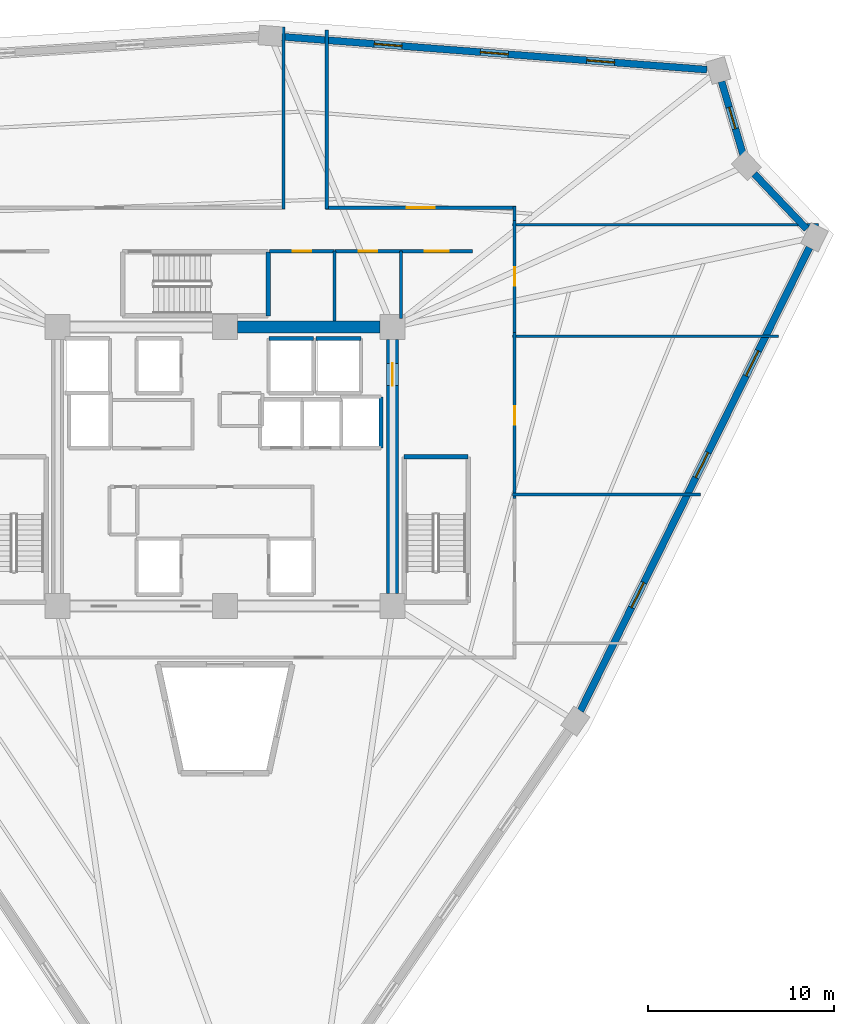
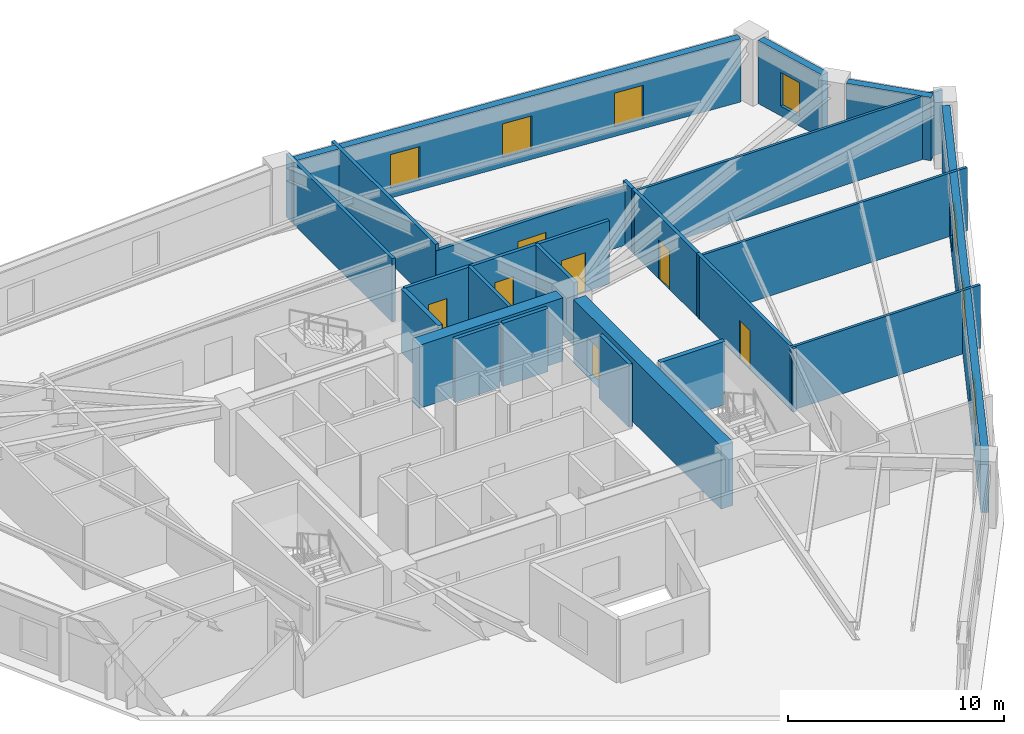
# One storey, part 6 of 8: 25 walls, 7 doors, 7 windows, 14 openings.
"""IFC4 building model written with IfcOpenShell, lengths in metres."""

from ifc_helpers import new_model, si_unit, direction, frame, frame_2d, origin, place, context, subcontext, project, spatial, rectangle, extrude, source, transform, mapped, material, layer, layer_set, type_object, element, fill, save


model = new_model("IFC4")

# Units and contexts
model_context = context("Model", 3, precision=1e-05, world=origin(), true_north=direction((0.0, 1.0)))
body_context = subcontext(model_context, "Body", "Model", "MODEL_VIEW")
ifc_project = project(units=[si_unit("LENGTHUNIT", "METRE"), si_unit("AREAUNIT", "SQUARE_METRE"), si_unit("VOLUMEUNIT", "CUBIC_METRE"), si_unit("PLANEANGLEUNIT", "RADIAN"), si_unit("MASSUNIT", "GRAM", prefix="KILO")], contexts=[model_context])

# Site, building, storey
site_placement = place(None, origin())
site = spatial("IfcSite", under=ifc_project, at=site_placement, CompositionType="ELEMENT")
building_placement = place(site_placement, origin())
building = spatial("IfcBuilding", under=site, at=building_placement, Name="Liaohun Quay Tower", CompositionType="ELEMENT")
storey_placement = place(building_placement, frame((0.0, 0.0, 262.5)))
storey = spatial("IfcBuildingStorey", under=building, at=storey_placement, Name="L68", CompositionType="ELEMENT", Elevation=262.5)

# Wall
ifc_material_1 = material(Name="Concrete C55", Category="concrete")
ifc_layer_1 = layer(ifc_material_1, 0.64990234375, Name="Concrete C55", Category="concrete")
ifc_layer_set_1 = layer_set([ifc_layer_1], Name="Concrete C55")
wall_type_1 = type_object("IfcWallType", Name="WAL-COR-Z3", PredefinedType="SHEAR", material=ifc_layer_set_1)
wall_1_placement = place(storey_placement, frame((60.675048828125, 61.5, 0.0), z_axis=(0.0, 0.0, 1.0), x_axis=(1.0, 0.0, 0.0)))
element("IfcWall", 1, at=wall_1_placement, inside=storey, type_object=wall_type_1, Name="L68 Central Core Shear Wall N-E", PredefinedType="SHEAR", context=body_context, shape_type="SweptSolid", body=[
    extrude(rectangle(XDim=7.64990234375, YDim=0.64990234375, at=frame_2d((3.824951171875, 0.0))), origin(), (0.0, 0.0, 1.0), 3.570068359375),
])

# Wall, opening, door
wall_2_placement = place(storey_placement, frame((69.0, 60.824951171875, 0.0), z_axis=(0.0, 0.0, 1.0), x_axis=(0.0, -1.0, 0.0)))
wall_2 = element("IfcWall", 2, at=wall_2_placement, inside=storey, type_object=wall_type_1, Name="L68 Central Core Shear Wall E", PredefinedType="SHEAR", context=body_context, shape_type="SweptSolid", body=[
    extrude(rectangle(XDim=13.64990234375, YDim=0.64990234375, at=frame_2d((6.824951171875, 0.0))), origin(), (0.0, 0.0, 1.0), 3.570068359375),
])
shared_shape_1 = source(origin(), body_context, "Body", "SweptSolid", [
    extrude(rectangle(XDim=1.199951171875, YDim=2.199951171875, at=frame_2d((0.60009765625, 1.10009765625))), frame((0.0, 0.3349609375, 0.0), z_axis=(0.0, -1.0, 0.0), x_axis=(1.0, 0.0, 0.0)), (0.0, 0.0, 1.0), 0.669921875),
])
opening_1_placement = place(wall_2_placement, frame((1.27490234375, 0.0, 0.0)))
opening_1 = element("IfcOpeningElement", 3, at=opening_1_placement, cuts=wall_2, Name="Opening SD1", PredefinedType="OPENING", context=body_context, shape_type="MappedRepresentation", body=[
    mapped(shared_shape_1, transform((0.0, 0.0, 0.0), x_axis=(1.0, 0.0, 0.0), y_axis=(0.0, 1.0, 0.0), z_axis=(0.0, 0.0, 1.0), scale=1.0)),
])
ifc_material_2 = material(Name="Galvanised steel fire door", Category="steel")
door_type_1 = type_object("IfcDoorType", Name="DOR-STR-1200", OperationType="NOTDEFINED", PredefinedType="DOOR", material=ifc_material_2)
shared_shape_2 = source(origin(), body_context, "Body", "SweptSolid", [
    extrude(rectangle(XDim=1.199951171875, YDim=2.199951171875, at=frame_2d((0.60009765625, 1.10009765625))), frame((0.0, 0.02490234375, 0.0), z_axis=(0.0, -1.0, 0.0), x_axis=(1.0, 0.0, 0.0)), (0.0, 0.0, 1.0), 0.050048828125),
])
door_1_placement = place(opening_1_placement, origin())
door_1 = element("IfcDoor", 4, at=door_1_placement, inside=storey, type_object=door_type_1, Name="L68 North-East Core Lobby Smokeproof Door", OperationType="SINGLE_SWING_LEFT", OverallHeight=2.199951171875, OverallWidth=1.199951171875, PredefinedType="DOOR", context=body_context, shape_type="MappedRepresentation", body=[
    mapped(shared_shape_2, transform((0.0, 0.0, 0.0), x_axis=(1.0, 0.0, 0.0), y_axis=(0.0, 1.0, 0.0), z_axis=(0.0, 0.0, 1.0), scale=1.0)),
])
fill(opening_1, door_1)

# Wall, openings, windows
ifc_material_3 = material(Name="Precast concrete C50 insulated sandwich", Category="concrete")
ifc_layer_2 = layer(ifc_material_3, 0.3798828125, Name="Precast concrete C50 insulated sandwich", Category="concrete")
ifc_layer_set_2 = layer_set([ifc_layer_2], Name="Precast concrete C50 insulated sandwich")
wall_type_2 = type_object("IfcWallType", Name="WAL-EXT-Z34", PredefinedType="SOLIDWALL", material=ifc_layer_set_2)
wall_3_placement = place(storey_placement, frame((79.10009765625, 40.864990234375, 0.0), z_axis=(0.0, 0.0, 1.0), x_axis=(0.44309993188, 0.896472225096, 0.0)))
wall_3 = element("IfcWall", 5, at=wall_3_placement, inside=storey, type_object=wall_type_2, Name="L68 Brutalist Precast Pier Wall 03", PredefinedType="SOLIDWALL", context=body_context, shape_type="SweptSolid", body=[
    extrude(rectangle(XDim=27.783447265625, YDim=0.3798828125, at=frame_2d((13.8916015625, 0.0))), origin(), (0.0, 0.0, 1.0), 3.570068359375),
])
shared_shape_3 = source(origin(), body_context, "Body", "SweptSolid", [
    extrude(rectangle(XDim=1.5, YDim=1.89990234375, at=frame_2d((0.75, 0.949951171875))), frame((0.0, 0.199951171875, 0.0), z_axis=(0.0, -1.0, 0.0), x_axis=(1.0, 0.0, 0.0)), (0.0, 0.0, 1.0), 0.39990234375),
])
opening_2_placement = place(wall_3_placement, frame((6.196044921875, 0.0, 0.550048828125)))
opening_2 = element("IfcOpeningElement", 6, at=opening_2_placement, cuts=wall_3, Name="Opening W03", PredefinedType="OPENING", context=body_context, shape_type="MappedRepresentation", body=[
    mapped(shared_shape_3, transform((0.0, 0.0, 0.0), x_axis=(1.0, 0.0, 0.0), y_axis=(0.0, 1.0, 0.0), z_axis=(0.0, 0.0, 1.0), scale=1.0)),
])
opening_3_placement = place(wall_3_placement, frame((13.991943359375, 0.0, 0.550048828125)))
opening_3 = element("IfcOpeningElement", 7, at=opening_3_placement, cuts=wall_3, Name="Opening W03", PredefinedType="OPENING", context=body_context, shape_type="MappedRepresentation", body=[
    mapped(shared_shape_3, transform((0.0, 0.0, 0.0), x_axis=(1.0, 0.0, 0.0), y_axis=(0.0, 1.0, 0.0), z_axis=(0.0, 0.0, 1.0), scale=1.0)),
])
opening_4_placement = place(wall_3_placement, frame((20.087890625, 0.0, 0.550048828125)))
opening_4 = element("IfcOpeningElement", 8, at=opening_4_placement, cuts=wall_3, Name="Opening W03", PredefinedType="OPENING", context=body_context, shape_type="MappedRepresentation", body=[
    mapped(shared_shape_3, transform((0.0, 0.0, 0.0), x_axis=(1.0, 0.0, 0.0), y_axis=(0.0, 1.0, 0.0), z_axis=(0.0, 0.0, 1.0), scale=1.0)),
])
ifc_material_4 = material(Name="Triple Low-E argon glazing in thermally broken aluminium", Category="aluminium")
window_type_1 = type_object("IfcWindowType", Name="WIN-PUN-Z3", PartitioningType="DOUBLE_PANEL_VERTICAL", PredefinedType="WINDOW", material=ifc_material_4)
shared_shape_4 = source(origin(), body_context, "Body", "SweptSolid", [
    extrude(rectangle(XDim=1.5, YDim=1.89990234375, at=frame_2d((0.75, 0.949951171875))), frame((0.0, 0.030029296875, 0.0), z_axis=(0.0, -1.0, 0.0), x_axis=(1.0, 0.0, 0.0)), (0.0, 0.0, 1.0), 0.06005859375),
])
window_1_placement = place(opening_2_placement, origin())
window_1 = element("IfcWindow", 9, at=window_1_placement, inside=storey, type_object=window_type_1, Name="L68 Recessed Cold-Climate Punched Window 03-1", OverallHeight=1.89990234375, OverallWidth=1.5, PartitioningType="DOUBLE_PANEL_VERTICAL", PredefinedType="WINDOW", context=body_context, shape_type="MappedRepresentation", body=[
    mapped(shared_shape_4, transform((0.0, 0.0, 0.0), x_axis=(1.0, 0.0, 0.0), y_axis=(0.0, 1.0, 0.0), z_axis=(0.0, 0.0, 1.0), scale=1.0)),
])
fill(opening_2, window_1)
window_2_placement = place(opening_3_placement, origin())
window_2 = element("IfcWindow", 10, at=window_2_placement, inside=storey, type_object=window_type_1, Name="L68 Recessed Cold-Climate Punched Window 03-2", OverallHeight=1.89990234375, OverallWidth=1.5, PartitioningType="DOUBLE_PANEL_VERTICAL", PredefinedType="WINDOW", context=body_context, shape_type="MappedRepresentation", body=[
    mapped(shared_shape_4, transform((0.0, 0.0, 0.0), x_axis=(1.0, 0.0, 0.0), y_axis=(0.0, 1.0, 0.0), z_axis=(0.0, 0.0, 1.0), scale=1.0)),
])
fill(opening_3, window_2)
window_3_placement = place(opening_4_placement, origin())
window_3 = element("IfcWindow", 11, at=window_3_placement, inside=storey, type_object=window_type_1, Name="L68 Recessed Cold-Climate Punched Window 03-3", OverallHeight=1.89990234375, OverallWidth=1.5, PartitioningType="DOUBLE_PANEL_VERTICAL", PredefinedType="WINDOW", context=body_context, shape_type="MappedRepresentation", body=[
    mapped(shared_shape_4, transform((0.0, 0.0, 0.0), x_axis=(1.0, 0.0, 0.0), y_axis=(0.0, 1.0, 0.0), z_axis=(0.0, 0.0, 1.0), scale=1.0)),
])
fill(opening_4, window_3)

# Wall
wall_4_placement = place(storey_placement, frame((91.259033203125, 66.76904296875, 0.0), z_axis=(0.0, 0.0, 1.0), x_axis=(-0.689420989275, 0.724360890404, 0.0)))
element("IfcWall", 12, at=wall_4_placement, inside=storey, type_object=wall_type_2, Name="L68 Brutalist Precast Pier Wall 04", PredefinedType="SOLIDWALL", context=body_context, shape_type="SweptSolid", body=[
    extrude(rectangle(XDim=4.087646484375, YDim=0.3798828125, at=frame_2d((2.0439453125, 0.0))), origin(), (0.0, 0.0, 1.0), 3.570068359375),
])

# Wall, opening, window
wall_5_placement = place(storey_placement, frame((87.843017578125, 70.76611328125, 0.0), z_axis=(0.0, 0.0, 1.0), x_axis=(-0.282766622506, 0.95918873909, 0.0)))
wall_5 = element("IfcWall", 13, at=wall_5_placement, inside=storey, type_object=wall_type_2, Name="L68 Brutalist Precast Pier Wall 05", PredefinedType="SOLIDWALL", context=body_context, shape_type="SweptSolid", body=[
    extrude(rectangle(XDim=4.09521484375, YDim=0.3798828125, at=frame_2d((2.047607421875, 0.0))), origin(), (0.0, 0.0, 1.0), 3.570068359375),
])
shared_shape_5 = source(origin(), body_context, "Body", "SweptSolid", [
    extrude(rectangle(XDim=1.199951171875, YDim=1.89990234375, at=frame_2d((0.60009765625, 0.949951171875))), frame((0.0, 0.199951171875, 0.0), z_axis=(0.0, -1.0, 0.0), x_axis=(1.0, 0.0, 0.0)), (0.0, 0.0, 1.0), 0.39990234375),
])
opening_5_placement = place(wall_5_placement, frame((1.447998046875, 0.0, 0.550048828125)))
opening_5 = element("IfcOpeningElement", 14, at=opening_5_placement, cuts=wall_5, Name="Opening W05", PredefinedType="OPENING", context=body_context, shape_type="MappedRepresentation", body=[
    mapped(shared_shape_5, transform((0.0, 0.0, 0.0), x_axis=(1.0, 0.0, 0.0), y_axis=(0.0, 1.0, 0.0), z_axis=(0.0, 0.0, 1.0), scale=1.0)),
])
ifc_material_5 = material(Name="Triple Low-E corner notch glazing", Category="glass")
window_type_2 = type_object("IfcWindowType", Name="WIN-NOTCH", PartitioningType="SINGLE_PANEL", PredefinedType="WINDOW", material=ifc_material_5)
shared_shape_6 = source(origin(), body_context, "Body", "SweptSolid", [
    extrude(rectangle(XDim=1.199951171875, YDim=1.89990234375, at=frame_2d((0.60009765625, 0.949951171875))), frame((0.0, 0.030029296875, 0.0), z_axis=(0.0, -1.0, 0.0), x_axis=(1.0, 0.0, 0.0)), (0.0, 0.0, 1.0), 0.06005859375),
])
window_4_placement = place(opening_5_placement, origin())
window_4 = element("IfcWindow", 15, at=window_4_placement, inside=storey, type_object=window_type_2, Name="L68 Corner Notch Window W05-05", OverallHeight=1.89990234375, OverallWidth=1.199951171875, PartitioningType="SINGLE_PANEL", PredefinedType="WINDOW", context=body_context, shape_type="MappedRepresentation", body=[
    mapped(shared_shape_6, transform((0.0, 0.0, 0.0), x_axis=(1.0, 0.0, 0.0), y_axis=(0.0, 1.0, 0.0), z_axis=(0.0, 0.0, 1.0), scale=1.0)),
])
fill(opening_5, window_4)

# Wall, openings, windows
wall_6_placement = place(storey_placement, frame((85.89794921875, 75.3310546875, 0.0), z_axis=(0.0, 0.0, 1.0), x_axis=(-0.997012155609, 0.077244815801, 0.0)))
wall_6 = element("IfcWall", 16, at=wall_6_placement, inside=storey, type_object=wall_type_2, Name="L68 Brutalist Precast Pier Wall 06", PredefinedType="SOLIDWALL", context=body_context, shape_type="SweptSolid", body=[
    extrude(rectangle(XDim=22.914306640625, YDim=0.3798828125, at=frame_2d((11.45703125, 0.0))), origin(), (0.0, 0.0, 1.0), 3.570068359375),
])
opening_6_placement = place(wall_6_placement, frame((4.97900390625, 0.0, 0.550048828125)))
opening_6 = element("IfcOpeningElement", 17, at=opening_6_placement, cuts=wall_6, Name="Opening W03", PredefinedType="OPENING", context=body_context, shape_type="MappedRepresentation", body=[
    mapped(shared_shape_3, transform((0.0, 0.0, 0.0), x_axis=(1.0, 0.0, 0.0), y_axis=(0.0, 1.0, 0.0), z_axis=(0.0, 0.0, 1.0), scale=1.0)),
])
opening_7_placement = place(wall_6_placement, frame((10.70703125, 0.0, 0.550048828125)))
opening_7 = element("IfcOpeningElement", 18, at=opening_7_placement, cuts=wall_6, Name="Opening W03", PredefinedType="OPENING", context=body_context, shape_type="MappedRepresentation", body=[
    mapped(shared_shape_3, transform((0.0, 0.0, 0.0), x_axis=(1.0, 0.0, 0.0), y_axis=(0.0, 1.0, 0.0), z_axis=(0.0, 0.0, 1.0), scale=1.0)),
])
opening_8_placement = place(wall_6_placement, frame((16.43603515625, 0.0, 0.550048828125)))
opening_8 = element("IfcOpeningElement", 19, at=opening_8_placement, cuts=wall_6, Name="Opening W03", PredefinedType="OPENING", context=body_context, shape_type="MappedRepresentation", body=[
    mapped(shared_shape_3, transform((0.0, 0.0, 0.0), x_axis=(1.0, 0.0, 0.0), y_axis=(0.0, 1.0, 0.0), z_axis=(0.0, 0.0, 1.0), scale=1.0)),
])
window_5_placement = place(opening_6_placement, origin())
window_5 = element("IfcWindow", 20, at=window_5_placement, inside=storey, type_object=window_type_1, Name="L68 Recessed Cold-Climate Punched Window 06-1", OverallHeight=1.89990234375, OverallWidth=1.5, PartitioningType="DOUBLE_PANEL_VERTICAL", PredefinedType="WINDOW", context=body_context, shape_type="MappedRepresentation", body=[
    mapped(shared_shape_4, transform((0.0, 0.0, 0.0), x_axis=(1.0, 0.0, 0.0), y_axis=(0.0, 1.0, 0.0), z_axis=(0.0, 0.0, 1.0), scale=1.0)),
])
fill(opening_6, window_5)
window_6_placement = place(opening_7_placement, origin())
window_6 = element("IfcWindow", 21, at=window_6_placement, inside=storey, type_object=window_type_1, Name="L68 Recessed Cold-Climate Punched Window 06-2", OverallHeight=1.89990234375, OverallWidth=1.5, PartitioningType="DOUBLE_PANEL_VERTICAL", PredefinedType="WINDOW", context=body_context, shape_type="MappedRepresentation", body=[
    mapped(shared_shape_4, transform((0.0, 0.0, 0.0), x_axis=(1.0, 0.0, 0.0), y_axis=(0.0, 1.0, 0.0), z_axis=(0.0, 0.0, 1.0), scale=1.0)),
])
fill(opening_7, window_6)
window_7_placement = place(opening_8_placement, origin())
window_7 = element("IfcWindow", 22, at=window_7_placement, inside=storey, type_object=window_type_1, Name="L68 Recessed Cold-Climate Punched Window 06-3", OverallHeight=1.89990234375, OverallWidth=1.5, PartitioningType="DOUBLE_PANEL_VERTICAL", PredefinedType="WINDOW", context=body_context, shape_type="MappedRepresentation", body=[
    mapped(shared_shape_4, transform((0.0, 0.0, 0.0), x_axis=(1.0, 0.0, 0.0), y_axis=(0.0, 1.0, 0.0), z_axis=(0.0, 0.0, 1.0), scale=1.0)),
])
fill(opening_8, window_7)

# Wall, opening, door
ifc_material_6 = material(Name="Autoclaved aerated concrete blockwork", Category="masonry")
ifc_layer_3 = layer(ifc_material_6, 0.179931640625, Name="Autoclaved aerated concrete blockwork", Category="masonry")
ifc_layer_set_3 = layer_set([ifc_layer_3], Name="Autoclaved aerated concrete blockwork")
wall_type_3 = type_object("IfcWallType", Name="WAL-PRT-COR", PredefinedType="PARTITIONING", material=ifc_layer_set_3)
wall_7_placement = place(storey_placement, frame((62.389892578125, 65.580078125, 0.0), z_axis=(0.0, 0.0, 1.0), x_axis=(1.0, 0.0, 0.0)))
wall_7 = element("IfcWall", 23, at=wall_7_placement, inside=storey, type_object=wall_type_3, Name="L68 Interior Partition Wall 008", PredefinedType="PARTITIONING", context=body_context, shape_type="SweptSolid", body=[
    extrude(rectangle(XDim=3.489990234375, YDim=0.179931640625, at=frame_2d((1.7451171875, 0.0))), origin(), (0.0, 0.0, 1.0), 3.570068359375),
])
shared_shape_7 = source(origin(), body_context, "Body", "SweptSolid", [
    extrude(rectangle(XDim=1.0, YDim=2.199951171875, at=frame_2d((0.5, 1.10009765625))), frame((0.0, 0.099853515625, 0.0), z_axis=(0.0, -1.0, 0.0), x_axis=(1.0, 0.0, 0.0)), (0.0, 0.0, 1.0), 0.199951171875),
])
opening_9_placement = place(wall_7_placement, frame((1.2451171875, 0.0, 0.0)))
opening_9 = element("IfcOpeningElement", 24, at=opening_9_placement, cuts=wall_7, Name="Opening OD1", PredefinedType="OPENING", context=body_context, shape_type="MappedRepresentation", body=[
    mapped(shared_shape_7, transform((0.0, 0.0, 0.0), x_axis=(1.0, 0.0, 0.0), y_axis=(0.0, 1.0, 0.0), z_axis=(0.0, 0.0, 1.0), scale=1.0)),
])
ifc_material_7 = material(Name="Solid-core oak veneer timber leaf in steel frame", Category="steel")
door_type_2 = type_object("IfcDoorType", Name="DOR-OFF-1000", OperationType="NOTDEFINED", PredefinedType="DOOR", material=ifc_material_7)
shared_shape_8 = source(origin(), body_context, "Body", "SweptSolid", [
    extrude(rectangle(XDim=1.0, YDim=2.199951171875, at=frame_2d((0.5, 1.10009765625))), frame((0.0, 0.02490234375, 0.0), z_axis=(0.0, -1.0, 0.0), x_axis=(1.0, 0.0, 0.0)), (0.0, 0.0, 1.0), 0.050048828125),
])
door_2_placement = place(opening_9_placement, origin())
door_2 = element("IfcDoor", 25, at=door_2_placement, inside=storey, type_object=door_type_2, Name="L68 North-East Archive Store Door", OperationType="SINGLE_SWING_RIGHT", OverallHeight=2.199951171875, OverallWidth=1.0, PredefinedType="DOOR", context=body_context, shape_type="MappedRepresentation", body=[
    mapped(shared_shape_8, transform((0.0, 0.0, 0.0), x_axis=(1.0, 0.0, 0.0), y_axis=(0.0, 1.0, 0.0), z_axis=(0.0, 0.0, 1.0), scale=1.0)),
])
fill(opening_9, door_2)

wall_8_placement = place(storey_placement, frame((65.919921875, 65.580078125, 0.0), z_axis=(0.0, 0.0, 1.0), x_axis=(1.0, 0.0, 0.0)))
wall_8 = element("IfcWall", 26, at=wall_8_placement, inside=storey, type_object=wall_type_3, Name="L68 Interior Partition Wall 009", PredefinedType="PARTITIONING", context=body_context, shape_type="SweptSolid", body=[
    extrude(rectangle(XDim=3.5400390625, YDim=0.179931640625, at=frame_2d((1.77001953125, 0.0))), origin(), (0.0, 0.0, 1.0), 3.570068359375),
])
opening_10_placement = place(wall_8_placement, frame((1.27001953125, 0.0, 0.0)))
opening_10 = element("IfcOpeningElement", 27, at=opening_10_placement, cuts=wall_8, Name="Opening OD1", PredefinedType="OPENING", context=body_context, shape_type="MappedRepresentation", body=[
    mapped(shared_shape_7, transform((0.0, 0.0, 0.0), x_axis=(1.0, 0.0, 0.0), y_axis=(0.0, 1.0, 0.0), z_axis=(0.0, 0.0, 1.0), scale=1.0)),
])
door_3_placement = place(opening_10_placement, origin())
door_3 = element("IfcDoor", 28, at=door_3_placement, inside=storey, type_object=door_type_2, Name="L68 North-East Pantry Room Door", OperationType="SINGLE_SWING_LEFT", OverallHeight=2.199951171875, OverallWidth=1.0, PredefinedType="DOOR", context=body_context, shape_type="MappedRepresentation", body=[
    mapped(shared_shape_8, transform((0.0, 0.0, 0.0), x_axis=(1.0, 0.0, 0.0), y_axis=(0.0, 1.0, 0.0), z_axis=(0.0, 0.0, 1.0), scale=1.0)),
])
fill(opening_10, door_3)

wall_9_placement = place(storey_placement, frame((69.4599609375, 65.580078125, 0.0), z_axis=(0.0, 0.0, 1.0), x_axis=(1.0, 0.0, 0.0)))
wall_9 = element("IfcWall", 29, at=wall_9_placement, inside=storey, type_object=wall_type_3, Name="L68 Interior Partition Wall 011", PredefinedType="PARTITIONING", context=body_context, shape_type="SweptSolid", body=[
    extrude(rectangle(XDim=3.840087890625, YDim=0.179931640625, at=frame_2d((1.919921875, 0.0))), origin(), (0.0, 0.0, 1.0), 3.570068359375),
])
shared_shape_9 = source(origin(), body_context, "Body", "SweptSolid", [
    extrude(rectangle(XDim=1.300048828125, YDim=2.199951171875, at=frame_2d((0.64990234375, 1.10009765625))), frame((0.0, 0.099853515625, 0.0), z_axis=(0.0, -1.0, 0.0), x_axis=(1.0, 0.0, 0.0)), (0.0, 0.0, 1.0), 0.199951171875),
])
opening_11_placement = place(wall_9_placement, frame((1.27001953125, 0.0, 0.0)))
opening_11 = element("IfcOpeningElement", 30, at=opening_11_placement, cuts=wall_9, Name="Opening FD1", PredefinedType="OPENING", context=body_context, shape_type="MappedRepresentation", body=[
    mapped(shared_shape_9, transform((0.0, 0.0, 0.0), x_axis=(1.0, 0.0, 0.0), y_axis=(0.0, 1.0, 0.0), z_axis=(0.0, 0.0, 1.0), scale=1.0)),
])
ifc_material_8 = material(Name="Galvanised steel smokeproof fire door", Category="steel")
door_type_3 = type_object("IfcDoorType", Name="DOR-FFL-1300", OperationType="NOTDEFINED", PredefinedType="DOOR", material=ifc_material_8)
shared_shape_10 = source(origin(), body_context, "Body", "SweptSolid", [
    extrude(rectangle(XDim=1.300048828125, YDim=2.199951171875, at=frame_2d((0.64990234375, 1.10009765625))), frame((0.0, 0.02490234375, 0.0), z_axis=(0.0, -1.0, 0.0), x_axis=(1.0, 0.0, 0.0)), (0.0, 0.0, 1.0), 0.050048828125),
])
door_4_placement = place(opening_11_placement, origin())
door_4 = element("IfcDoor", 31, at=door_4_placement, inside=storey, type_object=door_type_3, Name="L68 East Core Vestibule Door", OperationType="SINGLE_SWING_LEFT", OverallHeight=2.199951171875, OverallWidth=1.300048828125, PredefinedType="DOOR", context=body_context, shape_type="MappedRepresentation", body=[
    mapped(shared_shape_10, transform((0.0, 0.0, 0.0), x_axis=(1.0, 0.0, 0.0), y_axis=(0.0, 1.0, 0.0), z_axis=(0.0, 0.0, 1.0), scale=1.0)),
])
fill(opening_11, door_4)

wall_10_placement = place(storey_placement, frame((75.56005859375, 61.215087890625, 0.0), z_axis=(0.0, 0.0, 1.0), x_axis=(0.0, -1.0, 0.0)))
wall_10 = element("IfcWall", 32, at=wall_10_placement, inside=storey, type_object=wall_type_3, Name="L68 Interior Partition Wall 012", PredefinedType="PARTITIONING", context=body_context, shape_type="SweptSolid", body=[
    extrude(rectangle(XDim=8.93017578125, YDim=0.179931640625, at=frame_2d((4.465087890625, 0.0))), origin(), (0.0, 0.0, 1.0), 3.570068359375),
])
opening_12_placement = place(wall_10_placement, frame((3.965087890625, 0.0, 0.0)))
opening_12 = element("IfcOpeningElement", 33, at=opening_12_placement, cuts=wall_10, Name="Opening OD1", PredefinedType="OPENING", context=body_context, shape_type="MappedRepresentation", body=[
    mapped(shared_shape_7, transform((0.0, 0.0, 0.0), x_axis=(1.0, 0.0, 0.0), y_axis=(0.0, 1.0, 0.0), z_axis=(0.0, 0.0, 1.0), scale=1.0)),
])
door_5_placement = place(opening_12_placement, origin())
door_5 = element("IfcDoor", 34, at=door_5_placement, inside=storey, type_object=door_type_2, Name="L68 Digital Prototyping Laboratory 01 Door", OperationType="SINGLE_SWING_RIGHT", OverallHeight=2.199951171875, OverallWidth=1.0, PredefinedType="DOOR", context=body_context, shape_type="MappedRepresentation", body=[
    mapped(shared_shape_8, transform((0.0, 0.0, 0.0), x_axis=(1.0, 0.0, 0.0), y_axis=(0.0, 1.0, 0.0), z_axis=(0.0, 0.0, 1.0), scale=1.0)),
])
fill(opening_12, door_5)

wall_11_placement = place(storey_placement, frame((75.56005859375, 67.215087890625, 0.0), z_axis=(0.0, 0.0, 1.0), x_axis=(0.0, -1.0, 0.0)))
wall_11 = element("IfcWall", 35, at=wall_11_placement, inside=storey, type_object=wall_type_3, Name="L68 Interior Partition Wall 013", PredefinedType="PARTITIONING", context=body_context, shape_type="SweptSolid", body=[
    extrude(rectangle(XDim=6.0, YDim=0.179931640625, at=frame_2d((3.0, 0.0))), origin(), (0.0, 0.0, 1.0), 3.570068359375),
])
opening_13_placement = place(wall_11_placement, frame((2.5, 0.0, 0.0)))
opening_13 = element("IfcOpeningElement", 36, at=opening_13_placement, cuts=wall_11, Name="Opening OD1", PredefinedType="OPENING", context=body_context, shape_type="MappedRepresentation", body=[
    mapped(shared_shape_7, transform((0.0, 0.0, 0.0), x_axis=(1.0, 0.0, 0.0), y_axis=(0.0, 1.0, 0.0), z_axis=(0.0, 0.0, 1.0), scale=1.0)),
])
door_6_placement = place(opening_13_placement, origin())
door_6 = element("IfcDoor", 37, at=door_6_placement, inside=storey, type_object=door_type_2, Name="L68 Client Collaboration Lounge 02 Door", OperationType="SINGLE_SWING_LEFT", OverallHeight=2.199951171875, OverallWidth=1.0, PredefinedType="DOOR", context=body_context, shape_type="MappedRepresentation", body=[
    mapped(shared_shape_8, transform((0.0, 0.0, 0.0), x_axis=(1.0, 0.0, 0.0), y_axis=(0.0, 1.0, 0.0), z_axis=(0.0, 0.0, 1.0), scale=1.0)),
])
fill(opening_13, door_6)

wall_12_placement = place(storey_placement, frame((65.389892578125, 67.909912109375, 0.0), z_axis=(0.0, 0.0, 1.0), x_axis=(1.0, 0.0, 0.0)))
wall_12 = element("IfcWall", 38, at=wall_12_placement, inside=storey, type_object=wall_type_3, Name="L68 Interior Partition Wall 014", PredefinedType="PARTITIONING", context=body_context, shape_type="SweptSolid", body=[
    extrude(rectangle(XDim=10.239990234375, YDim=0.179931640625, at=frame_2d((5.1201171875, 0.0))), origin(), (0.0, 0.0, 1.0), 3.205078125),
])
shared_shape_11 = source(origin(), body_context, "Body", "SweptSolid", [
    extrude(rectangle(XDim=1.5, YDim=2.199951171875, at=frame_2d((0.75, 1.10009765625))), frame((0.0, 0.099853515625, 0.0), z_axis=(0.0, -1.0, 0.0), x_axis=(1.0, 0.0, 0.0)), (0.0, 0.0, 1.0), 0.199951171875),
])
opening_14_placement = place(wall_12_placement, frame((4.3701171875, 0.0, 0.0)))
opening_14 = element("IfcOpeningElement", 39, at=opening_14_placement, cuts=wall_12, Name="Opening OD2", PredefinedType="OPENING", context=body_context, shape_type="MappedRepresentation", body=[
    mapped(shared_shape_11, transform((0.0, 0.0, 0.0), x_axis=(1.0, 0.0, 0.0), y_axis=(0.0, 1.0, 0.0), z_axis=(0.0, 0.0, 1.0), scale=1.0)),
])
ifc_material_9 = material(Name="Acoustic oak veneer double door")
door_type_4 = type_object("IfcDoorType", Name="DOR-OFF-1500", OperationType="DOUBLE_DOOR_SINGLE_SWING", PredefinedType="DOOR", material=ifc_material_9)
shared_shape_12 = source(origin(), body_context, "Body", "SweptSolid", [
    extrude(rectangle(XDim=1.5, YDim=2.199951171875, at=frame_2d((0.75, 1.10009765625))), frame((0.0, 0.02490234375, 0.0), z_axis=(0.0, -1.0, 0.0), x_axis=(1.0, 0.0, 0.0)), (0.0, 0.0, 1.0), 0.050048828125),
])
door_7_placement = place(opening_14_placement, origin())
door_7 = element("IfcDoor", 40, at=door_7_placement, inside=storey, type_object=door_type_4, Name="L68 Digital Prototyping Laboratory 03 Door", OperationType="DOUBLE_DOOR_SINGLE_SWING", OverallHeight=2.199951171875, OverallWidth=1.5, PredefinedType="DOOR", context=body_context, shape_type="MappedRepresentation", body=[
    mapped(shared_shape_12, transform((0.0, 0.0, 0.0), x_axis=(1.0, 0.0, 0.0), y_axis=(0.0, 1.0, 0.0), z_axis=(0.0, 0.0, 1.0), scale=1.0)),
])
fill(opening_14, door_7)

# Walls
wall_13_placement = place(storey_placement, frame((65.8798828125, 61.824951171875, 0.0), z_axis=(0.0, 0.0, 1.0), x_axis=(0.0, 1.0, 0.0)))
element("IfcWall", 41, at=wall_13_placement, inside=storey, type_object=wall_type_3, Name="L68 Interior Partition Wall 032", PredefinedType="PARTITIONING", context=body_context, shape_type="SweptSolid", body=[
    extrude(rectangle(XDim=3.755126953125, YDim=0.179931640625, at=frame_2d((1.87744140625, 0.0))), origin(), (0.0, 0.0, 1.0), 3.570068359375),
])
wall_14_placement = place(storey_placement, frame((69.4599609375, 61.949951171875, 0.0), z_axis=(0.0, 0.0, 1.0), x_axis=(0.0, 1.0, 0.0)))
element("IfcWall", 42, at=wall_14_placement, inside=storey, type_object=wall_type_3, Name="L68 Interior Partition Wall 033", PredefinedType="PARTITIONING", context=body_context, shape_type="SweptSolid", body=[
    extrude(rectangle(XDim=3.630126953125, YDim=0.179931640625, at=frame_2d((1.81494140625, 0.0))), origin(), (0.0, 0.0, 1.0), 3.570068359375),
])
wall_15_placement = place(storey_placement, frame((65.4599609375, 77.455078125, 0.0), z_axis=(0.0, 0.0, 1.0), x_axis=(0.0, -1.0, 0.0)))
element("IfcWall", 43, at=wall_15_placement, inside=storey, type_object=wall_type_3, Name="L68 Interior Partition Wall 034", PredefinedType="PARTITIONING", context=body_context, shape_type="SweptSolid", body=[
    extrude(rectangle(XDim=9.614990234375, YDim=0.179931640625, at=frame_2d((4.8076171875, 0.0))), origin(), (0.0, 0.0, 1.0), 3.570068359375),
])
wall_16_placement = place(storey_placement, frame((75.56005859375, 67.97998046875, 0.0), z_axis=(0.0, 0.0, 1.0), x_axis=(0.0, -1.0, 0.0)))
element("IfcWall", 44, at=wall_16_placement, inside=storey, type_object=wall_type_3, Name="L68 Interior Partition Wall 035", PredefinedType="PARTITIONING", context=body_context, shape_type="SweptSolid", body=[
    extrude(rectangle(XDim=0.764892578125, YDim=0.179931640625, at=frame_2d((0.38232421875, 0.0))), origin(), (0.0, 0.0, 1.0), 3.570068359375),
])
wall_17_placement = place(storey_placement, frame((63.139892578125, 67.840087890625, 0.0), z_axis=(0.0, 0.0, 1.0), x_axis=(0.0, 1.0, 0.0)))
element("IfcWall", 45, at=wall_17_placement, inside=storey, type_object=wall_type_3, Name="L68 Interior Partition Wall 036", PredefinedType="PARTITIONING", context=body_context, shape_type="SweptSolid", body=[
    extrude(rectangle(XDim=9.794921875, YDim=0.179931640625, at=frame_2d((4.8974609375, 0.0))), origin(), (0.0, 0.0, 1.0), 3.570068359375),
])
ifc_material_10 = material(Name="Gypsum board on twin steel studs", Category="steel")
ifc_layer_4 = layer(ifc_material_10, 0.139892578125, Name="Gypsum board on twin steel studs", Category="steel")
ifc_layer_set_4 = layer_set([ifc_layer_4], Name="Gypsum board on twin steel studs")
wall_type_4 = type_object("IfcWallType", Name="WAL-PRT-OFF", PredefinedType="PARTITIONING", material=ifc_layer_set_4)
wall_18_placement = place(storey_placement, frame((75.4599609375, 52.5, 0.0), z_axis=(0.0, 0.0, 1.0), x_axis=(1.0, 0.0, 0.0)))
element("IfcWall", 46, at=wall_18_placement, inside=storey, type_object=wall_type_4, Name="L68 Interior Partition Wall 047", PredefinedType="PARTITIONING", context=body_context, shape_type="SweptSolid", body=[
    extrude(rectangle(XDim=10.093994140625, YDim=0.139892578125, at=frame_2d((5.046875, 0.0))), origin(), (0.0, 0.0, 1.0), 3.570068359375),
])
wall_19_placement = place(storey_placement, frame((75.4599609375, 61.0, 0.0), z_axis=(0.0, 0.0, 1.0), x_axis=(1.0, 0.0, 0.0)))
element("IfcWall", 47, at=wall_19_placement, inside=storey, type_object=wall_type_4, Name="L68 Interior Partition Wall 048", PredefinedType="PARTITIONING", context=body_context, shape_type="SweptSolid", body=[
    extrude(rectangle(XDim=14.294921875, YDim=0.139892578125, at=frame_2d((7.1474609375, 0.0))), origin(), (0.0, 0.0, 1.0), 3.570068359375),
])
wall_20_placement = place(storey_placement, frame((75.4599609375, 67.0, 0.0), z_axis=(0.0, 0.0, 1.0), x_axis=(1.0, 0.0, 0.0)))
element("IfcWall", 48, at=wall_20_placement, inside=storey, type_object=wall_type_4, Name="L68 Interior Partition Wall 049", PredefinedType="PARTITIONING", context=body_context, shape_type="SweptSolid", body=[
    extrude(rectangle(XDim=16.448974609375, YDim=0.139892578125, at=frame_2d((8.224609375, 0.0))), origin(), (0.0, 0.0, 1.0), 3.570068359375),
])
ifc_material_11 = material(Name="Concrete C50", Category="concrete")
ifc_layer_5 = layer(ifc_material_11, 0.239990234375, Name="Concrete C50", Category="concrete")
ifc_layer_set_5 = layer_set([ifc_layer_5], Name="Concrete C50")
wall_type_5 = type_object("IfcWallType", Name="WAL-SHF-200", PredefinedType="SOLIDWALL", material=ifc_layer_set_5)
for number, where, z_axis, x_axis, name in (
    (49, (73.06005859375, 54.52001953125, 0.0), (0.0, 0.0, 1.0), (-1.0, 0.0, 0.0), "L68 Stairwell ST-2 Structural Core Wall N"),
    (50, (62.320068359375, 62.10009765625, 0.0), (0.0, 0.0, 1.0), (0.0, 1.0, 0.0), "L68 Stairwell ST-3 Structural Core Wall E"),
):
    element("IfcWall", number, at=place(storey_placement, frame(where, z_axis=z_axis, x_axis=x_axis)), inside=storey, type_object=wall_type_5, Name=name, PredefinedType="SOLIDWALL", context=body_context, shape_type="SweptSolid", body=[
        extrude(rectangle(XDim=3.43994140625, YDim=0.239990234375, at=frame_2d((1.719970703125, 0.0))), origin(), (0.0, 0.0, 1.0), 3.570068359375),
    ])
wall_21_placement = place(storey_placement, frame((64.75, 60.8798828125, 0.0), z_axis=(0.0, 0.0, 1.0), x_axis=(-1.0, 0.0, 0.0)))
element("IfcWall", 51, at=wall_21_placement, inside=storey, type_object=wall_type_5, Name="L68 Lift OB-01 Hoistway Wall N", PredefinedType="SOLIDWALL", context=body_context, shape_type="SweptSolid", body=[
    extrude(rectangle(XDim=2.39990234375, YDim=0.199951171875, at=frame_2d((1.199951171875, 0.0))), origin(), (0.0, 0.0, 1.0), 3.570068359375),
])
wall_22_placement = place(storey_placement, frame((67.300048828125, 60.8798828125, 0.0), z_axis=(0.0, 0.0, 1.0), x_axis=(-1.0, 0.0, 0.0)))
element("IfcWall", 52, at=wall_22_placement, inside=storey, type_object=wall_type_5, Name="L68 Lift OB-02 Hoistway Wall N", PredefinedType="SOLIDWALL", context=body_context, shape_type="SweptSolid", body=[
    extrude(rectangle(XDim=2.400146484375, YDim=0.199951171875, at=frame_2d((1.2001953125, 0.0))), origin(), (0.0, 0.0, 1.0), 3.570068359375),
])
wall_23_placement = place(storey_placement, frame((68.3798828125, 55.0, 0.0), z_axis=(0.0, 0.0, 1.0), x_axis=(0.0, 1.0, 0.0)))
element("IfcWall", 53, at=wall_23_placement, inside=storey, type_object=wall_type_5, Name="L68 Lift SH-03 Hoistway Wall E", PredefinedType="SOLIDWALL", context=body_context, shape_type="SweptSolid", body=[
    extrude(rectangle(XDim=2.75, YDim=0.199951171875, at=frame_2d((1.375, 0.0))), origin(), (0.0, 0.0, 1.0), 3.570068359375),
])

save(model, "model.ifc")
